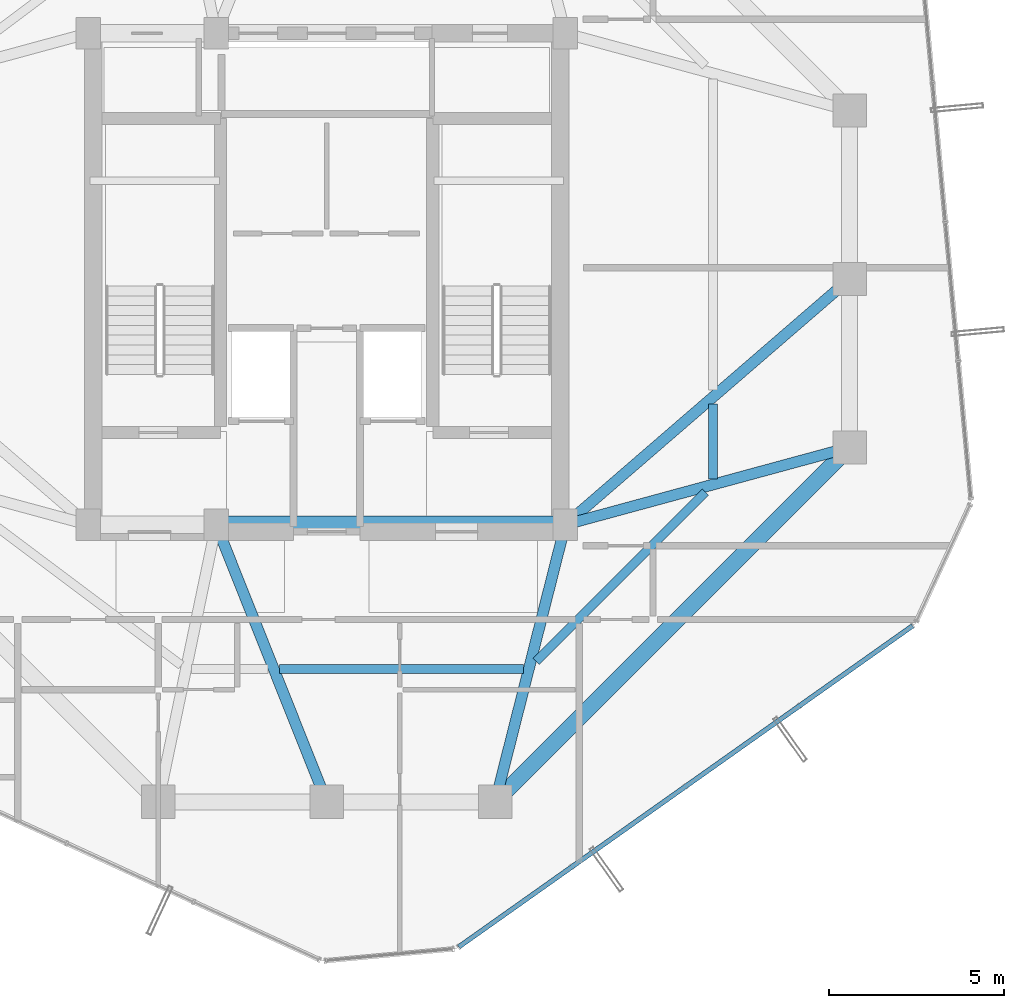
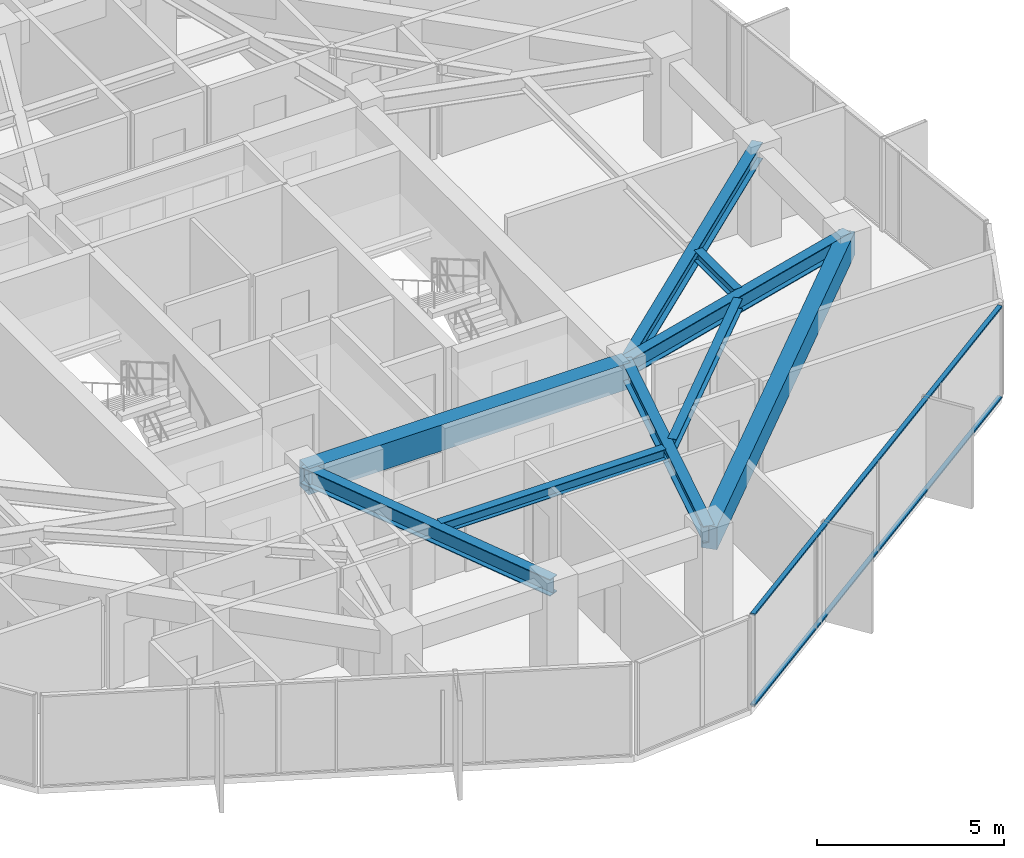
# One storey, part 9 of 32: 9 beams, 2 members, 1 element without a shape of its own.
"""IFC4 building model written with IfcOpenShell, lengths in metres."""

import ifcopenshell
import ifcopenshell.guid

model = None  # the IFC model being written
_history = None  # IfcOwnerHistory: only IFC2X3 demands one
_inside = {}  # id of a spatial element -> (the spatial element, [elements in it])
_under = {}  # id of a project, library or spatial element -> (it, [spatial elements below it])
_declared = {}  # id of a project -> (the project, [libraries it declares])
_typed = {}  # id of a type object -> (the type object, [elements of that type])
_made_of = {}  # id of a material, layer set ... -> (it, [elements and type objects made of it])


def new_model(schema):
    """Start an empty IFC model of exactly this schema.

    Asked for "IFC4X3", IfcOpenShell would pick the latest addendum, in which some entities
    have other attributes; the version numbers below select the first issue.
    IFC2X3 requires an IfcOwnerHistory on every rooted entity: one is made here for all.
    """
    global model, _history
    if schema == "IFC4X3":
        model = ifcopenshell.file(schema_version=(4, 3, 0, 0))
    else:
        model = ifcopenshell.file(schema=schema)
    _inside.clear()
    _under.clear()
    _declared.clear()
    _typed.clear()
    _made_of.clear()
    _history = None
    if model.schema == "IFC2X3":
        org = make("IfcOrganization", Name="unknown")
        user = make(
            "IfcPersonAndOrganization",
            ThePerson=make("IfcPerson", FamilyName="unknown"),
            TheOrganization=org,
        )
        app = make(
            "IfcApplication",
            ApplicationDeveloper=org,
            Version="unknown",
            ApplicationFullName="unknown",
            ApplicationIdentifier="unknown",
        )
        _history = make(
            "IfcOwnerHistory",
            OwningUser=user,
            OwningApplication=app,
            ChangeAction="ADDED",
            CreationDate=0,
        )
    return model


def make(cls, **values):
    """One entity of the class cls with the attributes given. An attribute that is None is left unset."""
    return model.create_entity(
        cls, **{name: value for name, value in values.items() if value is not None}
    )


def rooted(cls, **values):
    """An entity with a GlobalId (a new one), such as an element, a storey or a relation."""
    return make(cls, GlobalId=ifcopenshell.guid.new(), OwnerHistory=_history, **values)


def si_unit(unit_type, name, prefix=None):
    """IfcSIUnit, for example si_unit("LENGTHUNIT", "METRE", prefix="MILLI")."""
    return make("IfcSIUnit", UnitType=unit_type, Prefix=prefix, Name=name)


def assignment(units):
    """IfcUnitAssignment: the units of a project."""
    return None if units is None else make("IfcUnitAssignment", Units=units)


def point(xyz):
    """IfcCartesianPoint."""
    return None if xyz is None else make("IfcCartesianPoint", Coordinates=xyz)


def direction(xyz):
    """IfcDirection."""
    return None if xyz is None else make("IfcDirection", DirectionRatios=xyz)


def frame(location, z_axis=None, x_axis=None):
    """IfcAxis2Placement3D, a coordinate frame: its origin and axes. An axis left out is left unset."""
    return make(
        "IfcAxis2Placement3D",
        Location=point(location),
        Axis=direction(z_axis),
        RefDirection=direction(x_axis),
    )


def frame_2d(location, x_axis=None):
    """IfcAxis2Placement2D, a coordinate frame in the plane: its origin and x axis."""
    return make(
        "IfcAxis2Placement2D", Location=point(location), RefDirection=direction(x_axis)
    )


def origin():
    """The frame at (0, 0, 0) with its axes left unset."""
    return frame((0.0, 0.0, 0.0))


def origin_2d():
    """The frame at (0, 0) in the plane with its x axis left unset."""
    return frame_2d((0.0, 0.0))


def place(relative_to, where):
    """IfcLocalPlacement: puts the frame where relative to a parent placement (None: the world)."""
    return make(
        "IfcLocalPlacement", PlacementRelTo=relative_to, RelativePlacement=where
    )


def context(
    kind, dimensions, precision=None, world=None, true_north=None, identifier=None
):
    """IfcGeometricRepresentationContext, for example the 3D "Model" context."""
    return make(
        "IfcGeometricRepresentationContext",
        ContextIdentifier=identifier,
        ContextType=kind,
        CoordinateSpaceDimension=dimensions,
        Precision=precision,
        WorldCoordinateSystem=world,
        TrueNorth=true_north,
    )


def subcontext(parent, identifier, kind, view, scale=None):
    """IfcGeometricRepresentationSubContext, for example "Body" below "Model"."""
    return make(
        "IfcGeometricRepresentationSubContext",
        ContextIdentifier=identifier,
        ContextType=kind,
        ParentContext=parent,
        TargetScale=scale,
        TargetView=view,
    )


def project(units=None, contexts=None):
    """IfcProject with its units and contexts."""
    return rooted(
        "IfcProject",
        Name="project",
        RepresentationContexts=contexts,
        UnitsInContext=assignment(units),
    )


def spatial(cls, under=None, at=None, **own):
    """A site, building, storey or space (cls), placed at a placement, below another one or the project."""
    s = rooted(cls, ObjectPlacement=at, **own)
    if under is not None:
        _under.setdefault(under.id(), (under, []))[1].append(s)
    return s


def profile(cls, at=None, kind="AREA", **sizes):
    """A parametric profile (cls). Its sizes go by their IFC names, for example OverallWidth=200.0."""
    return make(cls, ProfileType=kind, Position=at, **sizes)


def rectangle(**sizes):
    """IfcRectangleProfileDef."""
    return profile("IfcRectangleProfileDef", **sizes)


def hollow_rectangle(**sizes):
    """IfcRectangleHollowProfileDef."""
    return profile("IfcRectangleHollowProfileDef", **sizes)


def i_section(**sizes):
    """IfcIShapeProfileDef."""
    return profile("IfcIShapeProfileDef", **sizes)


def extrude(swept, where, along, depth):
    """IfcExtrudedAreaSolid: the profile swept, set in the frame where, extruded along a direction by depth."""
    return make(
        "IfcExtrudedAreaSolid",
        SweptArea=swept,
        Position=where,
        ExtrudedDirection=direction(along),
        Depth=depth,
    )


def shape(context_of_items, identifier, shape_type, items):
    """IfcShapeRepresentation: the items that make up one representation, for example the "Body"."""
    return make(
        "IfcShapeRepresentation",
        ContextOfItems=context_of_items,
        RepresentationIdentifier=identifier,
        RepresentationType=shape_type,
        Items=items,
    )


def source(mapping_origin, context_of_items, identifier, shape_type, items):
    """IfcRepresentationMap: a shape defined once, which mapped items show again and again."""
    return make(
        "IfcRepresentationMap",
        MappingOrigin=mapping_origin,
        MappedRepresentation=shape(context_of_items, identifier, shape_type, items),
    )


def transform(
    local_origin,
    x_axis=None,
    y_axis=None,
    z_axis=None,
    scale=None,
    scale2=None,
    scale3=None,
    uniform=True,
):
    """IfcCartesianTransformationOperator3D, or its non-uniform kind. x_axis, y_axis, z_axis: its Axis1, 2, 3."""
    if uniform:
        return make(
            "IfcCartesianTransformationOperator3D",
            Axis1=direction(x_axis),
            Axis2=direction(y_axis),
            LocalOrigin=point(local_origin),
            Scale=scale,
            Axis3=direction(z_axis),
        )
    return make(
        "IfcCartesianTransformationOperator3DnonUniform",
        Axis1=direction(x_axis),
        Axis2=direction(y_axis),
        LocalOrigin=point(local_origin),
        Scale=scale,
        Axis3=direction(z_axis),
        Scale2=scale2,
        Scale3=scale3,
    )


def mapped(mapping_source, mapping_target):
    """IfcMappedItem: shows the shape of a source again, moved by a transform."""
    return make(
        "IfcMappedItem", MappingSource=mapping_source, MappingTarget=mapping_target
    )


def material(Name=None, Category=None):
    """IfcMaterial."""
    return make("IfcMaterial", Name=Name, Category=Category)


def layer(
    of_material, thickness, ventilated=None, Name=None, Category=None, Priority=None
):
    """IfcMaterialLayer: one layer of a wall or slab, of a material (None: an air gap)."""
    return make(
        "IfcMaterialLayer",
        Material=of_material,
        LayerThickness=thickness,
        IsVentilated=ventilated,
        Name=Name,
        Category=Category,
        Priority=Priority,
    )


def layer_set(layers, Name=None):
    """IfcMaterialLayerSet."""
    return make("IfcMaterialLayerSet", MaterialLayers=layers, LayerSetName=Name)


def material_profile(
    of_material, cross_section, Name=None, Category=None, Priority=None
):
    """IfcMaterialProfile: a cross section and its material."""
    return make(
        "IfcMaterialProfile",
        Name=Name,
        Material=of_material,
        Profile=cross_section,
        Priority=Priority,
        Category=Category,
    )


def profile_set(profiles, Name=None, composite=None):
    """IfcMaterialProfileSet."""
    return make(
        "IfcMaterialProfileSet",
        Name=Name,
        MaterialProfiles=profiles,
        CompositeProfile=composite,
    )


def made_of(thing, what):
    """Note that an element or type object is made of a material, layer set ...; save() writes the relation."""
    if what is not None:
        _made_of.setdefault(what.id(), (what, []))[1].append(thing)
    return thing


def type_object(cls, material=None, **own):
    """A type object (cls), such as IfcWallType, which elements share."""
    return made_of(rooted(cls, **own), material)


def element(
    cls,
    number,
    at=None,
    inside=None,
    cuts=None,
    type_object=None,
    material=None,
    context=None,
    identifier="Body",
    shape_type=None,
    held_by="IfcProductDefinitionShape",
    body=None,
    shapes=None,
    **own,
):
    """One element of the class cls, such as IfcWall. Its Tag is "e" and its number.

    at: its placement. inside: the storey or other place that contains it. cuts: it is an
    opening in that element (IfcRelVoidsElement). A single representation is given by context,
    identifier, shape_type and body (its items); several are given by shapes. held_by: the class
    of the entity that holds the representations. save() writes the other relations.
    """
    e = rooted(cls, Tag="e%d" % number, ObjectPlacement=at, **own)
    if body is not None:
        shapes = [shape(context, identifier, shape_type, body)]
    if shapes is not None:
        e.Representation = make(held_by, Representations=shapes)
    if inside is not None:
        _inside.setdefault(inside.id(), (inside, []))[1].append(e)
    if cuts is not None:
        rooted(
            "IfcRelVoidsElement", RelatingBuildingElement=cuts, RelatedOpeningElement=e
        )
    if type_object is not None:
        _typed.setdefault(type_object.id(), (type_object, []))[1].append(e)
    return made_of(e, material)


def aggregate(whole, parts):
    """IfcRelAggregates: a whole, such as a stair, and the parts it consists of."""
    return rooted("IfcRelAggregates", RelatingObject=whole, RelatedObjects=parts)


def save(model, path):
    """Write the relations noted so far, then the file.

    IfcRelAggregates (storeys below a building ...), IfcRelContainedInSpatialStructure (elements
    in a storey), IfcRelDefinesByType, IfcRelAssociatesMaterial and IfcRelDeclares: one each for
    every whole, place, type object, material and project.
    """
    for whole, parts in _under.values():
        aggregate(whole, parts)
    for where, things in _inside.values():
        rooted(
            "IfcRelContainedInSpatialStructure",
            RelatedElements=things,
            RelatingStructure=where,
        )
    for kind, things in _typed.values():
        rooted("IfcRelDefinesByType", RelatedObjects=things, RelatingType=kind)
    for what, things in _made_of.values():
        rooted("IfcRelAssociatesMaterial", RelatedObjects=things, RelatingMaterial=what)
    for by, libraries in _declared.values():
        rooted("IfcRelDeclares", RelatingContext=by, RelatedDefinitions=libraries)
    model.write(path)


model = new_model("IFC4")

# Units and contexts
model_context = context("Model", 3, precision=1e-05, world=origin(), true_north=direction((0.0, 1.0)))
body_context = subcontext(model_context, "Body", "Model", "MODEL_VIEW")
ifc_project = project(units=[si_unit("LENGTHUNIT", "METRE"), si_unit("AREAUNIT", "SQUARE_METRE"), si_unit("VOLUMEUNIT", "CUBIC_METRE"), si_unit("PLANEANGLEUNIT", "RADIAN"), si_unit("MASSUNIT", "GRAM", prefix="KILO")], contexts=[model_context])

# Site, building, storey
site_placement = place(None, origin())
site = spatial("IfcSite", under=ifc_project, at=site_placement, CompositionType="ELEMENT")
building_placement = place(site_placement, origin())
building = spatial("IfcBuilding", under=site, at=building_placement, Name="Veraguas Prism Commons", CompositionType="ELEMENT")
storey_placement = place(building_placement, frame((0.0, 0.0, 188.60009765625)))
storey = spatial("IfcBuildingStorey", under=building, at=storey_placement, Name="L53", CompositionType="ELEMENT", Elevation=188.60009765625)

# Beams
ifc_material_1 = material(Name="Concrete C50/60", Category="concrete")
ifc_material_profile_1 = material_profile(ifc_material_1, rectangle(XDim=0.5, YDim=0.85009765625, at=origin_2d()), Name="RC500X850")
ifc_profile_set_1 = profile_set([ifc_material_profile_1], Name="Concrete C50/60")
beam_type_1 = type_object("IfcBeamType", Name="Core Coupling Beam RC 500x850", PredefinedType="BEAM", material=ifc_profile_set_1)
beam_1_placement = place(storey_placement, frame((20.85009765625, 17.0, 2.58984375), z_axis=(1.0, 0.0, 0.0), x_axis=(0.0, 1.0, 0.0)))
element("IfcBeam", 1, at=beam_1_placement, inside=storey, type_object=beam_type_1, Name="Core Coupling Beam L53-CRS2", PredefinedType="BEAM", context=body_context, shape_type="SweptSolid", body=[
    extrude(rectangle(XDim=0.5, YDim=0.85009765625, at=origin_2d()), origin(), (0.0, 0.0, 1.0), 9.949951171875),
])
ifc_material_profile_2 = material_profile(ifc_material_1, rectangle(XDim=0.449951171875, YDim=0.75, at=origin_2d()), Name="RC450X750")
ifc_profile_set_2 = profile_set([ifc_material_profile_2], Name="Concrete C50/60")
beam_type_2 = type_object("IfcBeamType", Name="Perimeter Spandrel Upper RC 450x750", PredefinedType="SPANDREL", material=ifc_profile_set_2)
beam_2_placement = place(storey_placement, frame((28.800048828125, 9.10009765625, 2.639892578125), z_axis=(0.707106781187, 0.707106781187, 0.0), x_axis=(-0.707106781187, 0.707106781187, 0.0)))
element("IfcBeam", 2, at=beam_2_placement, inside=storey, type_object=beam_type_2, Name="Perimeter Spandrel Beam L53-SP12", PredefinedType="SPANDREL", context=body_context, shape_type="SweptSolid", body=[
    extrude(rectangle(XDim=0.449951171875, YDim=0.75, at=origin_2d()), origin(), (0.0, 0.0, 1.0), 14.283447265625),
])
ifc_material_2 = material(Name="Steel ASTM A992 Grade 50", Category="steel")
ifc_material_profile_3 = material_profile(ifc_material_2, i_section(OverallWidth=0.25390625, OverallDepth=0.35302734375, WebThickness=0.009521484375, FlangeThickness=0.016357421875, at=origin_2d()), Name="W360X91")
ifc_profile_set_3 = profile_set([ifc_material_profile_3], Name="Steel ASTM A992 Grade 50")
beam_type_3 = type_object("IfcBeamType", Name="Upper Floor Joist W360x91", PredefinedType="JOIST", material=ifc_profile_set_3)
beam_3_placement = place(storey_placement, frame((35.011962890625, 18.302978515625, 2.83837890625), z_axis=(0.0, 1.0, 0.0), x_axis=(-1.0, 0.0, 0.0)))
element("IfcBeam", 3, at=beam_3_placement, inside=storey, type_object=beam_type_3, Name="Composite Floor Joist L53-JS01", PredefinedType="JOIST", context=body_context, shape_type="SweptSolid", body=[
    extrude(i_section(OverallWidth=0.25390625, OverallDepth=0.35302734375, WebThickness=0.009521484375, FlangeThickness=0.016357421875, at=origin_2d()), origin(), (0.0, 0.0, 1.0), 2.134033203125),
])
beam_4_placement = place(storey_placement, frame((22.6533203125, 12.89208984375, 2.83837890625), z_axis=(1.0, 0.0, 0.0), x_axis=(0.0, 1.0, 0.0)))
element("IfcBeam", 4, at=beam_4_placement, inside=storey, type_object=beam_type_3, Name="Composite Floor Joist L53-JS11", PredefinedType="JOIST", context=body_context, shape_type="SweptSolid", body=[
    extrude(i_section(OverallWidth=0.25390625, OverallDepth=0.35302734375, WebThickness=0.009521484375, FlangeThickness=0.016357421875, at=origin_2d()), origin(), (0.0, 0.0, 1.0), 6.948486328125),
])
beam_5_placement = place(storey_placement, frame((29.971923828125, 13.10400390625, 2.83837890625), z_axis=(0.707124682851, 0.707088879069, 0.0), x_axis=(-0.707088879069, 0.707124682851, 0.0)))
element("IfcBeam", 5, at=beam_5_placement, inside=storey, type_object=beam_type_3, Name="Composite Floor Joist L53-JS12", PredefinedType="JOIST", context=body_context, shape_type="SweptSolid", body=[
    extrude(i_section(OverallWidth=0.25390625, OverallDepth=0.35302734375, WebThickness=0.009521484375, FlangeThickness=0.016357421875, at=origin_2d()), origin(), (0.0, 0.0, 1.0), 6.81884765625),
])
ifc_material_profile_4 = material_profile(ifc_material_2, i_section(OverallWidth=0.31103515625, OverallDepth=0.5458984375, WebThickness=0.0146484375, FlangeThickness=0.023681640625, at=origin_2d()), Name="W530X165")
ifc_profile_set_4 = profile_set([ifc_material_profile_4], Name="Steel ASTM A992 Grade 50")
beam_type_4 = type_object("IfcBeamType", Name="Zone 3 Radial Girder W530x165", PredefinedType="BEAM", material=ifc_profile_set_4)
beam_6_placement = place(storey_placement, frame((38.89990234375, 19.199951171875, 2.741943359375), z_axis=(-0.965038506703, -0.262108146725, 0.0), x_axis=(0.262108146725, -0.965038506703, 0.0)))
element("IfcBeam", 6, at=beam_6_placement, inside=storey, type_object=beam_type_4, Name="Radial Floor Girder L53-RD01", PredefinedType="BEAM", context=body_context, shape_type="SweptSolid", body=[
    extrude(i_section(OverallWidth=0.31103515625, OverallDepth=0.5458984375, WebThickness=0.0146484375, FlangeThickness=0.023681640625, at=origin_2d()), origin(), (0.0, 0.0, 1.0), 8.393310546875),
])
beam_7_placement = place(storey_placement, frame((38.89990234375, 24.0, 2.741943359375), z_axis=(-0.756607086554, -0.653869800936, 0.0), x_axis=(0.653869800936, -0.756607086554, 0.0)))
element("IfcBeam", 7, at=beam_7_placement, inside=storey, type_object=beam_type_4, Name="Radial Floor Girder L53-RD02", PredefinedType="BEAM", context=body_context, shape_type="SweptSolid", body=[
    extrude(i_section(OverallWidth=0.31103515625, OverallDepth=0.5458984375, WebThickness=0.0146484375, FlangeThickness=0.023681640625, at=origin_2d()), origin(), (0.0, 0.0, 1.0), 10.70556640625),
])
beam_8_placement = place(storey_placement, frame((24.0, 9.10009765625, 2.741943359375), z_axis=(-0.370370877803, 0.928883960931, 0.0), x_axis=(-0.928883960931, -0.370370877803, 0.0)))
element("IfcBeam", 8, at=beam_8_placement, inside=storey, type_object=beam_type_4, Name="Radial Floor Girder L53-RD11", PredefinedType="BEAM", context=body_context, shape_type="SweptSolid", body=[
    extrude(i_section(OverallWidth=0.31103515625, OverallDepth=0.5458984375, WebThickness=0.0146484375, FlangeThickness=0.023681640625, at=origin_2d()), origin(), (0.0, 0.0, 1.0), 8.504638671875),
])
beam_9_placement = place(storey_placement, frame((28.800048828125, 9.10009765625, 2.741943359375), z_axis=(0.245424718066, 0.969415652732, 0.0), x_axis=(-0.969415652732, 0.245424718066, 0.0)))
element("IfcBeam", 9, at=beam_9_placement, inside=storey, type_object=beam_type_4, Name="Radial Floor Girder L53-RD12", PredefinedType="BEAM", context=body_context, shape_type="SweptSolid", body=[
    extrude(i_section(OverallWidth=0.31103515625, OverallDepth=0.5458984375, WebThickness=0.0146484375, FlangeThickness=0.023681640625, at=origin_2d()), origin(), (0.0, 0.0, 1.0), 8.149169921875),
])

# Curtain wall, members
ifc_material_3 = material(Name="Anodised aluminium EN AW-6063 T6", Category="aluminium")
ifc_layer = layer(ifc_material_3, 0.14990234375, Name="Unitised Flush Curtain Wall Zone 3", Category="aluminium")
ifc_layer_set = layer_set([ifc_layer], Name="Anodised aluminium EN AW-6063 T6")
curtain_wall_type = type_object("IfcCurtainWallType", Name="Unitised Flush Curtain Wall Zone 3", PredefinedType="NOTDEFINED", material=ifc_layer_set)
curtain_wall_placement = place(storey_placement, origin())
curtain_wall = element("IfcCurtainWall", 10, at=curtain_wall_placement, inside=storey, type_object=curtain_wall_type, Name="Tower Facade Curtain Wall L53-F5", PredefinedType="NOTDEFINED")
ifc_material_profile_5 = material_profile(ifc_material_3, hollow_rectangle(XDim=0.054931640625, YDim=0.135009765625, WallThickness=0.0029296875, at=origin_2d()), Name="AL55X135X3")
ifc_profile_set_5 = profile_set([ifc_material_profile_5], Name="Anodised aluminium EN AW-6063 T6")
member_type = type_object("IfcMemberType", Name="Curtain Wall Transom Standard AL 55x135x3", PredefinedType="USERDEFINED", material=ifc_profile_set_5)
shared_shape = source(origin(), body_context, "Body", "SweptSolid", [
    extrude(hollow_rectangle(XDim=0.054931640625, YDim=0.135009765625, WallThickness=0.0029296875, at=origin_2d()), origin(), (0.0, 0.0, 1.0), 15.842041015625),
])
member_1_placement = place(storey_placement, frame((27.7626953125, 4.967529296875, 0.02734375), z_axis=(0.816342978454, 0.577567434616, 0.0), x_axis=(0.0, 0.0, 1.0)))
member_1 = element("IfcMember", 11, at=member_1_placement, type_object=member_type, Name="CW-Z3 Transom 1", ObjectType="TRANSOM", PredefinedType="USERDEFINED", context=body_context, shape_type="MappedRepresentation", body=[
    mapped(shared_shape, transform((0.0, 0.0, 0.0), scale=1.0)),
])
member_2_placement = place(storey_placement, frame((27.7626953125, 4.967529296875, 2.9873046875), z_axis=(0.816342978454, 0.577567434616, 0.0), x_axis=(0.0, 0.0, 1.0)))
member_2 = element("IfcMember", 12, at=member_2_placement, type_object=member_type, Name="CW-Z3 Transom 2", ObjectType="TRANSOM", PredefinedType="USERDEFINED", context=body_context, shape_type="MappedRepresentation", body=[
    mapped(shared_shape, transform((0.0, 0.0, 0.0), scale=1.0)),
])
aggregate(curtain_wall, [member_1, member_2])

save(model, "model.ifc")
